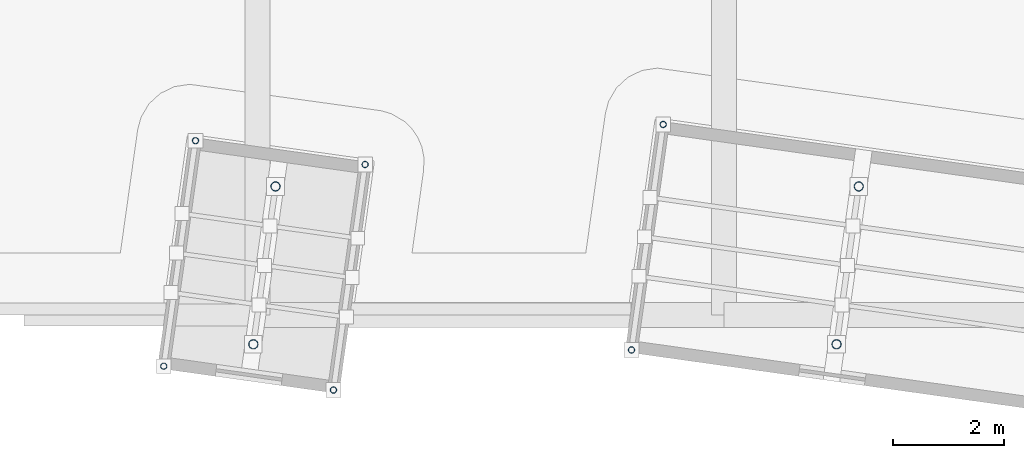
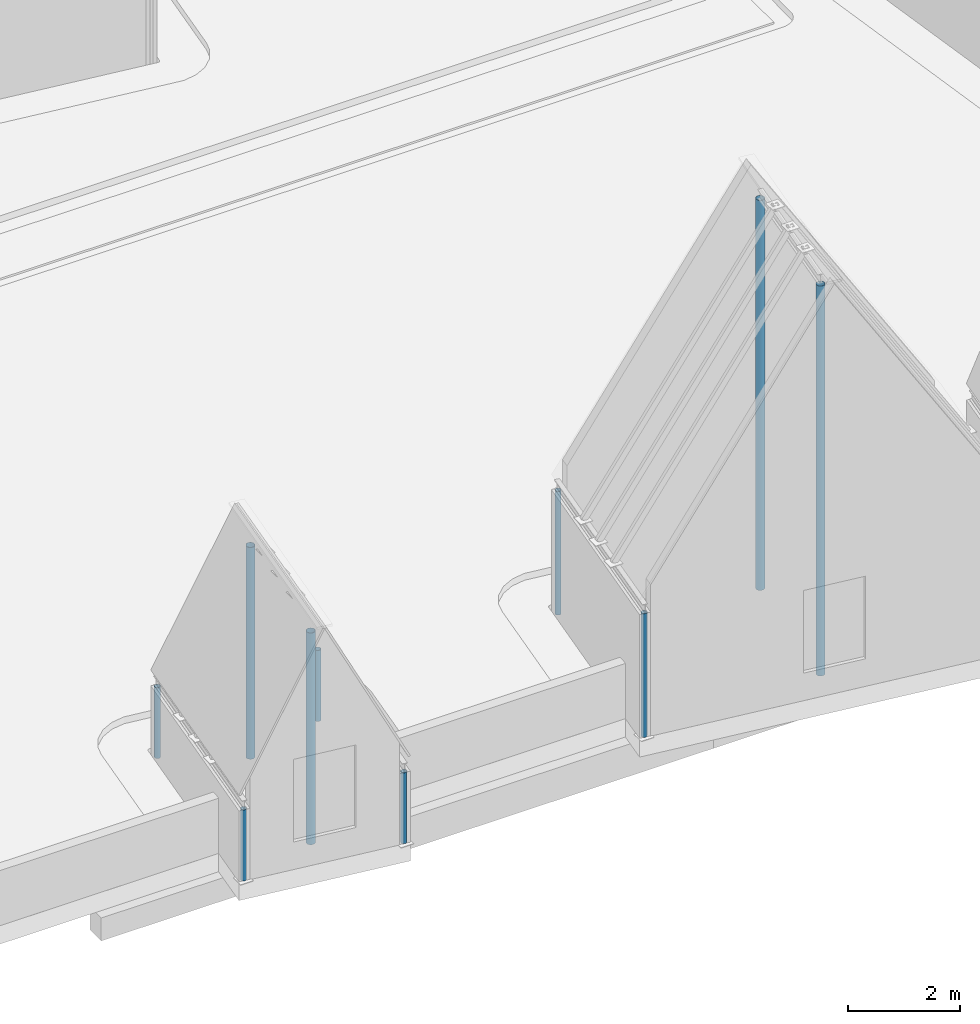
# One storey, part 1 of 11: 10 columns.
"""IFC4 building model written with IfcOpenShell, lengths in metres."""

from ifc_helpers import new_model, si_unit, direction, frame, origin, origin_2d, place, context, subcontext, project, spatial, hollow_circle, extrude, material, material_profile, profile_set, type_object, element, save


model = new_model("IFC4")

# Units and contexts
model_context = context("Model", 3, precision=1e-05, world=origin(), true_north=direction((0.0, 1.0)))
body_context = subcontext(model_context, "Body", "Model", "MODEL_VIEW")
ifc_project = project(units=[si_unit("LENGTHUNIT", "METRE"), si_unit("AREAUNIT", "SQUARE_METRE"), si_unit("VOLUMEUNIT", "CUBIC_METRE"), si_unit("PLANEANGLEUNIT", "RADIAN"), si_unit("MASSUNIT", "GRAM", prefix="KILO")], contexts=[model_context])

# Site, building, storey
site_placement = place(None, origin())
site = spatial("IfcSite", under=ifc_project, at=site_placement, CompositionType="ELEMENT")
building_placement = place(site_placement, origin())
building = spatial("IfcBuilding", under=site, at=building_placement, Name="Kiln Court Media Centre", CompositionType="ELEMENT")
storey_placement = place(building_placement, frame((0.0, 0.0, 42.60009765625)))
storey = spatial("IfcBuildingStorey", under=building, at=storey_placement, Name="ROOF", CompositionType="ELEMENT", Elevation=42.60009765625)

# Columns
ifc_material_1 = material(Name="Steel ASTM A500 Gr C", Category="steel")
ifc_material_profile_1 = material_profile(ifc_material_1, hollow_circle(Radius=0.05712890625, WallThickness=0.0048828125, at=origin_2d()), Name="CHS 114.3x5.0")
ifc_profile_set_1 = profile_set([ifc_material_profile_1], Name="Steel ASTM A500 Gr C")
column_type_1 = type_object("IfcColumnType", Name="Steel ASTM A500 Gr C CHS 114.3x5.0 crown eaves post", PredefinedType="COLUMN", material=ifc_profile_set_1)
for number, where, z_axis, x_axis, name in (
    (1, (7.283203125, 3.135986328125, 0.0078125), (0.0, 0.0, 1.0), (1.0, 0.0, 0.0), "crown form 1 eaves post crown eaves post"),
    (2, (6.71240234375, -0.924072265625, 0.0078125), (0.0, 0.0, 1.0), (1.0, 0.0, 0.0), "crown form 1 eaves post crown eaves post"),
    (3, (10.337890625, 2.70654296875, 0.0078125), (0.0, 0.0, 1.0), (1.0, 0.0, 0.0), "crown form 1 eaves post crown eaves post"),
    (4, (9.767333984375, -1.353515625, 0.0078125), (0.0, 0.0, 1.0), (1.0, 0.0, 0.0), "crown form 1 eaves post crown eaves post"),
):
    element("IfcColumn", number, at=place(storey_placement, frame(where, z_axis=z_axis, x_axis=x_axis)), inside=storey, type_object=column_type_1, Name=name, PredefinedType="COLUMN", context=body_context, shape_type="SweptSolid", body=[
        extrude(hollow_circle(Radius=0.05712890625, WallThickness=0.0048828125, at=origin_2d()), origin(), (0.0, 0.0, 1.0), 1.544189453125),
    ])
for number, where, z_axis, x_axis, name in (
    (5, (15.70361328125, 3.42822265625, 0.0078125), (0.0, 0.0, 1.0), (1.0, 0.0, 0.0), "crown form 2 eaves post crown eaves post"),
    (6, (15.1328125, -0.6318359375, 0.0078125), (0.0, 0.0, 1.0), (1.0, 0.0, 0.0), "crown form 2 eaves post crown eaves post"),
):
    element("IfcColumn", number, at=place(storey_placement, frame(where, z_axis=z_axis, x_axis=x_axis)), inside=storey, type_object=column_type_1, Name=name, PredefinedType="COLUMN", context=body_context, shape_type="SweptSolid", body=[
        extrude(hollow_circle(Radius=0.05712890625, WallThickness=0.0048828125, at=origin_2d()), origin(), (0.0, 0.0, 1.0), 2.692138671875),
    ])
ifc_material_2 = material(Name="Steel ASTM A500 Gr C", Category="steel")
ifc_material_profile_2 = material_profile(ifc_material_2, hollow_circle(Radius=0.084228515625, WallThickness=0.00634765625, at=origin_2d()), Name="CHS 168.3x6.3")
ifc_profile_set_2 = profile_set([ifc_material_profile_2], Name="Steel ASTM A500 Gr C")
column_type_2 = type_object("IfcColumnType", Name="Steel ASTM A500 Gr C CHS 168.3x6.3 crown ridge post", PredefinedType="COLUMN", material=ifc_profile_set_2)
for number, where, z_axis, x_axis, name in (
    (7, (8.72509765625, 2.312255859375, 0.0078125), (0.0, 0.0, 1.0), (1.0, 0.0, 0.0), "crown form 1 ridge post crown ridge post"),
    (8, (8.325439453125, -0.52978515625, 0.0078125), (0.0, 0.0, 1.0), (1.0, 0.0, 0.0), "crown form 1 ridge post crown ridge post"),
):
    element("IfcColumn", number, at=place(storey_placement, frame(where, z_axis=z_axis, x_axis=x_axis)), inside=storey, type_object=column_type_2, Name=name, PredefinedType="COLUMN", context=body_context, shape_type="SweptSolid", body=[
        extrude(hollow_circle(Radius=0.084228515625, WallThickness=0.00634765625, at=origin_2d()), origin(), (0.0, 0.0, 1.0), 4.611083984375),
    ])
for number, where, z_axis, x_axis, name in (
    (9, (19.22509765625, 2.312255859375, 0.0078125), (0.0, 0.0, 1.0), (1.0, 0.0, 0.0), "crown form 2 ridge post crown ridge post"),
    (10, (18.825439453125, -0.52978515625, 0.0078125), (0.0, 0.0, 1.0), (1.0, 0.0, 0.0), "crown form 2 ridge post crown ridge post"),
):
    element("IfcColumn", number, at=place(storey_placement, frame(where, z_axis=z_axis, x_axis=x_axis)), inside=storey, type_object=column_type_2, Name=name, PredefinedType="COLUMN", context=body_context, shape_type="SweptSolid", body=[
        extrude(hollow_circle(Radius=0.084228515625, WallThickness=0.00634765625, at=origin_2d()), origin(), (0.0, 0.0, 1.0), 8.4912109375),
    ])

save(model, "model.ifc")
